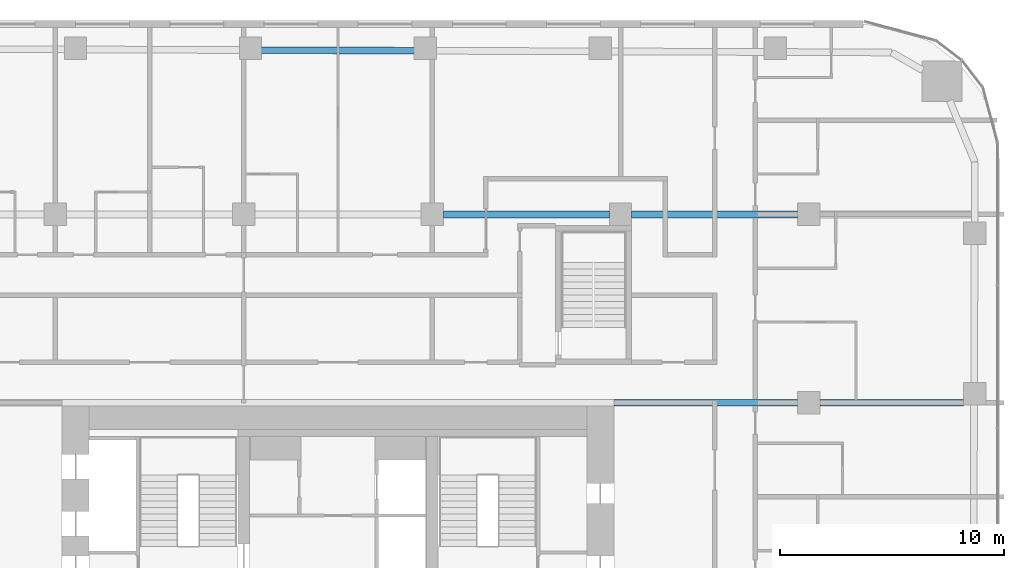
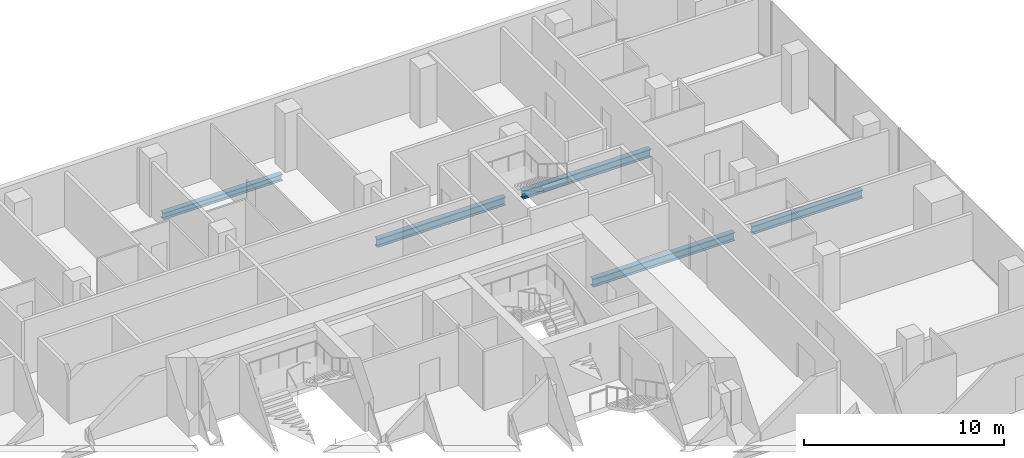
# One storey, part 11 of 26: 5 beams.
"""IFC4 building model written with IfcOpenShell, lengths in metres."""

from ifc_helpers import new_model, si_unit, direction, frame, origin, origin_2d, place, context, subcontext, project, spatial, i_section, extrude, material, material_profile, profile_set, type_object, element, save


model = new_model("IFC4")

# Units and contexts
model_context = context("Model", 3, precision=1e-05, world=origin(), true_north=direction((0.0, 1.0)))
body_context = subcontext(model_context, "Body", "Model", "MODEL_VIEW")
ifc_project = project(units=[si_unit("LENGTHUNIT", "METRE"), si_unit("AREAUNIT", "SQUARE_METRE"), si_unit("VOLUMEUNIT", "CUBIC_METRE"), si_unit("PLANEANGLEUNIT", "RADIAN"), si_unit("MASSUNIT", "GRAM", prefix="KILO")], contexts=[model_context])

# Site, building, storey
site_placement = place(None, origin())
site = spatial("IfcSite", under=ifc_project, at=site_placement, CompositionType="ELEMENT")
building_placement = place(site_placement, origin())
building = spatial("IfcBuilding", under=site, at=building_placement, Name="Marenta Gate Hotel Tower", CompositionType="ELEMENT")
storey_placement = place(building_placement, frame((0.0, 0.0, 43.699951171875)))
storey = spatial("IfcBuildingStorey", under=building, at=storey_placement, Name="L08", CompositionType="ELEMENT", Elevation=43.699951171875)

# Beams
ifc_material_1 = material(Name="Steel S355", Category="steel")
ifc_material_profile_1 = material_profile(ifc_material_1, i_section(OverallWidth=0.300048828125, OverallDepth=0.39990234375, WebThickness=0.013427734375, FlangeThickness=0.02392578125, FilletRadius=0.027099609375, at=origin_2d()), Name="HEB 400")
ifc_profile_set_1 = profile_set([ifc_material_profile_1], Name="Steel S355")
beam_type_1 = type_object("IfcBeamType", Name="Edge beam HEB 400", PredefinedType="SPANDREL", material=ifc_profile_set_1)
beam_1_placement = place(storey_placement, frame((-3.44140625, 32.52587890625, -0.4599609375), z_axis=(0.999993195747, -0.003688964684, 0.0), x_axis=(0.003688964684, 0.999993195747, 0.0)))
element("IfcBeam", 1, at=beam_1_placement, inside=storey, type_object=beam_type_1, Name="L08-EB-16", PredefinedType="SPANDREL", context=body_context, shape_type="SweptSolid", body=[
    extrude(i_section(OverallWidth=0.300048828125, OverallDepth=0.39990234375, WebThickness=0.013427734375, FlangeThickness=0.02392578125, FilletRadius=0.027099609375, at=origin_2d()), origin(), (0.0, 0.0, 1.0), 6.8828125),
])
ifc_material_2 = material(Name="Steel S355", Category="steel")
ifc_material_profile_2 = material_profile(ifc_material_2, i_section(OverallWidth=0.300048828125, OverallDepth=0.5, WebThickness=0.014404296875, FlangeThickness=0.028076171875, FilletRadius=0.027099609375, at=origin_2d()), Name="HEB 500")
ifc_profile_set_2 = profile_set([ifc_material_profile_2], Name="Steel S355")
beam_type_2 = type_object("IfcBeamType", Name="Girder HEB 500", PredefinedType="BEAM", material=ifc_profile_set_2)
beam_2_placement = place(storey_placement, frame((12.300048828125, 16.800048828125, -0.510009765625), z_axis=(1.0, 0.0, 0.0), x_axis=(0.0, 1.0, 0.0)))
element("IfcBeam", 2, at=beam_2_placement, inside=storey, type_object=beam_type_2, Name="L08-GD-20", PredefinedType="BEAM", context=body_context, shape_type="SweptSolid", body=[
    extrude(i_section(OverallWidth=0.300048828125, OverallDepth=0.5, WebThickness=0.014404296875, FlangeThickness=0.028076171875, FilletRadius=0.027099609375, at=origin_2d()), origin(), (0.0, 0.0, 1.0), 8.199951171875),
])
beam_3_placement = place(storey_placement, frame((21.5, 16.800048828125, -0.510009765625), z_axis=(1.0, 0.0, 0.0), x_axis=(0.0, 1.0, 0.0)))
element("IfcBeam", 3, at=beam_3_placement, inside=storey, type_object=beam_type_2, Name="L08-GD-21", PredefinedType="BEAM", context=body_context, shape_type="SweptSolid", body=[
    extrude(i_section(OverallWidth=0.300048828125, OverallDepth=0.5, WebThickness=0.014404296875, FlangeThickness=0.028076171875, FilletRadius=0.027099609375, at=origin_2d()), origin(), (0.0, 0.0, 1.0), 6.39990234375),
])
beam_4_placement = place(storey_placement, frame((4.699951171875, 25.199951171875, -0.510009765625), z_axis=(1.0, 0.0, 0.0), x_axis=(0.0, 1.0, 0.0)))
element("IfcBeam", 4, at=beam_4_placement, inside=storey, type_object=beam_type_2, Name="L08-GD-26", PredefinedType="BEAM", context=body_context, shape_type="SweptSolid", body=[
    extrude(i_section(OverallWidth=0.300048828125, OverallDepth=0.5, WebThickness=0.014404296875, FlangeThickness=0.028076171875, FilletRadius=0.027099609375, at=origin_2d()), origin(), (0.0, 0.0, 1.0), 7.400146484375),
])
beam_5_placement = place(storey_placement, frame((13.10009765625, 25.199951171875, -0.510009765625), z_axis=(1.0, 0.0, 0.0), x_axis=(0.0, 1.0, 0.0)))
element("IfcBeam", 5, at=beam_5_placement, inside=storey, type_object=beam_type_2, Name="L08-GD-27", PredefinedType="BEAM", context=body_context, shape_type="SweptSolid", body=[
    extrude(i_section(OverallWidth=0.300048828125, OverallDepth=0.5, WebThickness=0.014404296875, FlangeThickness=0.028076171875, FilletRadius=0.027099609375, at=origin_2d()), origin(), (0.0, 0.0, 1.0), 7.39990234375),
])

save(model, "model.ifc")
